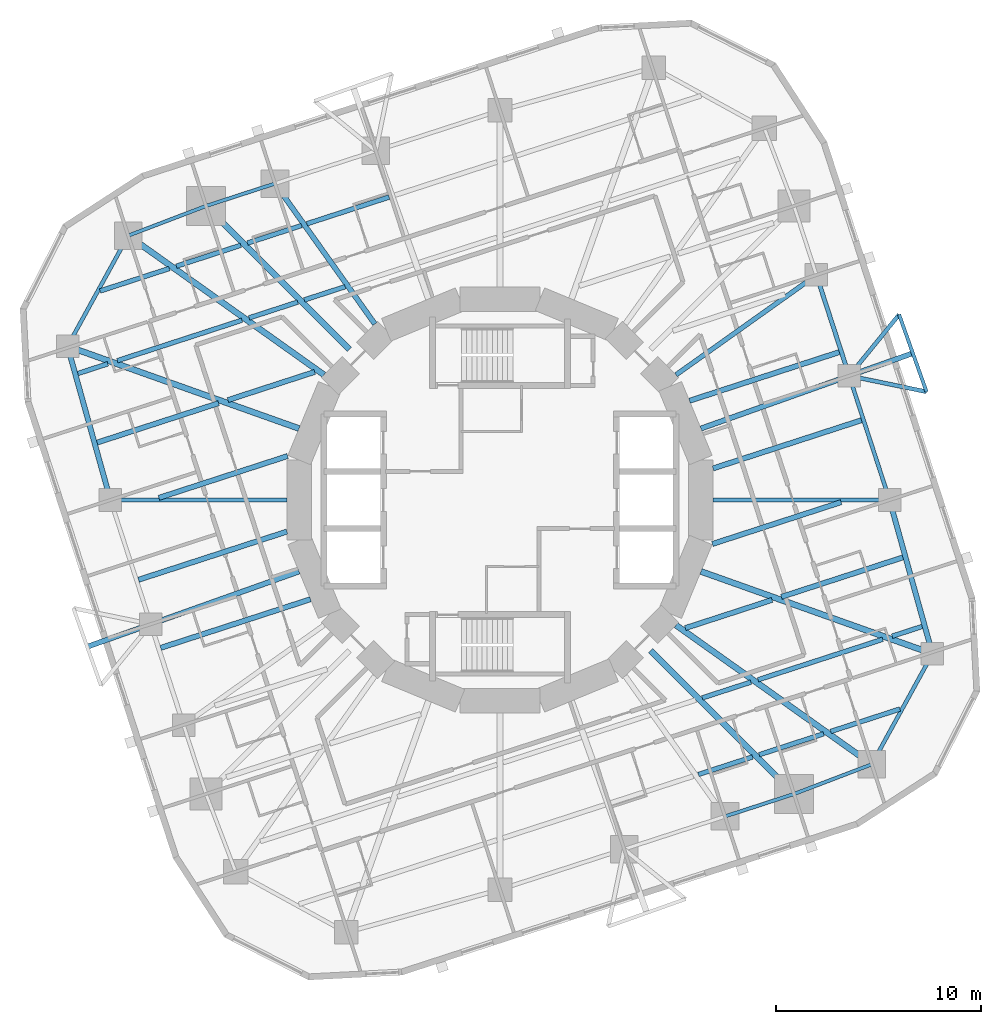
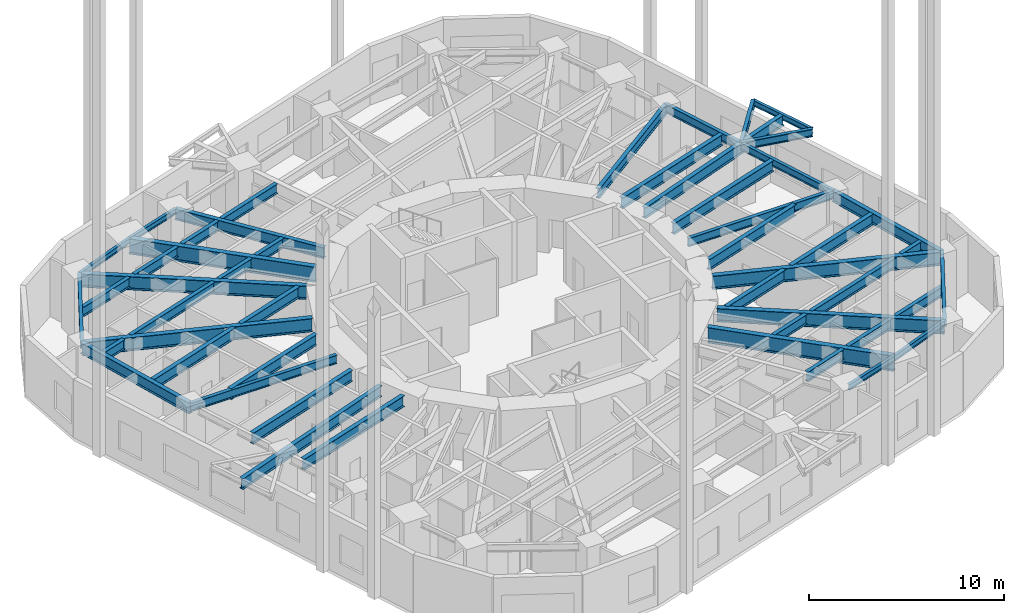
# One storey, part 2 of 10: 49 beams.
"""IFC4 building model written with IfcOpenShell, lengths in metres."""

from ifc_helpers import new_model, si_unit, direction, frame, origin, origin_2d, place, context, subcontext, project, spatial, i_section, extrude, material, material_profile, profile_set, type_object, element, save


model = new_model("IFC4")

# Units and contexts
model_context = context("Model", 3, precision=1e-05, world=origin(), true_north=direction((0.0, 1.0)))
body_context = subcontext(model_context, "Body", "Model", "MODEL_VIEW")
ifc_project = project(units=[si_unit("LENGTHUNIT", "METRE"), si_unit("AREAUNIT", "SQUARE_METRE"), si_unit("VOLUMEUNIT", "CUBIC_METRE"), si_unit("PLANEANGLEUNIT", "RADIAN"), si_unit("MASSUNIT", "GRAM", prefix="KILO")], contexts=[model_context])

# Site, building, storey
site_placement = place(None, origin())
site = spatial("IfcSite", under=ifc_project, at=site_placement, CompositionType="ELEMENT")
building_placement = place(site_placement, origin())
building = spatial("IfcBuilding", under=site, at=building_placement, Name="Nakasero Lantern House", CompositionType="ELEMENT")
storey_placement = place(building_placement, frame((0.0, 0.0, 141.800048828125)))
storey = spatial("IfcBuildingStorey", under=building, at=storey_placement, Name="L34", CompositionType="ELEMENT", Elevation=141.800048828125)

# Beams
ifc_material_1 = material(Name="Steel S355", Category="steel")
ifc_material_profile_1 = material_profile(ifc_material_1, i_section(OverallWidth=0.199462890625, OverallDepth=0.491943359375, WebThickness=0.01806640625, FlangeThickness=0.031982421875, FilletRadius=0.01025390625, at=origin_2d()), Name="UB 457x191x161")
ifc_profile_set_1 = profile_set([ifc_material_profile_1], Name="Steel S355")
beam_type_1 = type_object("IfcBeamType", Name="Balcony splay beam UB 457x191x161", PredefinedType="BEAM", material=ifc_profile_set_1)
for number, where, z_axis, x_axis, name in (
    (1, (17.060546875, 6.06591796875, 3.404052734375), (0.632127727159, 0.774864205236, 0.0), (-0.774864205236, 0.632127727159, 0.0), "Balcony splay beam L35 B4-C04A"),
    (2, (17.060546875, 6.06591796875, 3.404052734375), (0.979420272605, -0.201831438605, 0.0), (0.201831438605, 0.979420272605, 0.0), "Balcony splay beam L35 B4-C04B"),
):
    element("IfcBeam", number, at=place(storey_placement, frame(where, z_axis=z_axis, x_axis=x_axis)), inside=storey, type_object=beam_type_1, Name=name, PredefinedType="BEAM", context=body_context, shape_type="SweptSolid", body=[
        extrude(i_section(OverallWidth=0.199462890625, OverallDepth=0.491943359375, WebThickness=0.01806640625, FlangeThickness=0.031982421875, FilletRadius=0.01025390625, at=origin_2d()), origin(), (0.0, 0.0, 1.0), 3.858642578125),
    ])
ifc_material_2 = material(Name="Steel S355", Category="steel")
ifc_material_profile_2 = material_profile(ifc_material_2, i_section(OverallWidth=0.17138671875, OverallDepth=0.35498046875, WebThickness=0.00732421875, FlangeThickness=0.011474609375, FilletRadius=0.01025390625, at=origin_2d()), Name="UB 356x171x51")
ifc_profile_set_2 = profile_set([ifc_material_profile_2], Name="Steel S355")
beam_type_2 = type_object("IfcBeamType", Name="Balcony tie beam UB 356x171x51", PredefinedType="BEAM", material=ifc_profile_set_2)
beam_1_placement = place(storey_placement, frame((19.499755859375, 9.055908203125, 3.472412109375), z_axis=(0.335025321236, -0.942209124415, 0.0), x_axis=(0.942209124415, 0.335025321236, 0.0)))
element("IfcBeam", 3, at=beam_1_placement, inside=storey, type_object=beam_type_2, Name="Balcony tie beam L35 B4-C04", PredefinedType="BEAM", context=body_context, shape_type="SweptSolid", body=[
    extrude(i_section(OverallWidth=0.17138671875, OverallDepth=0.35498046875, WebThickness=0.00732421875, FlangeThickness=0.011474609375, FilletRadius=0.01025390625, at=origin_2d()), origin(), (0.0, 0.0, 1.0), 4.0),
])
ifc_material_3 = material(Name="Steel S355", Category="steel")
ifc_material_profile_3 = material_profile(ifc_material_3, i_section(OverallWidth=0.22900390625, OverallDepth=0.6123046875, WebThickness=0.011962890625, FlangeThickness=0.01953125, FilletRadius=0.0126953125, at=origin_2d()), Name="UB 610x229x125")
ifc_profile_set_3 = profile_set([ifc_material_profile_3], Name="Steel S355")
beam_type_3 = type_object("IfcBeamType", Name="Infill beam UB 610x229x125", PredefinedType="JOIST", material=ifc_profile_set_3)
beam_2_placement = place(storey_placement, frame((9.692626953125, -13.4111328125, 3.34375), z_axis=(0.951059855583, 0.309006716915, 0.0), x_axis=(-0.309006716915, 0.951059855583, 0.0)))
element("IfcBeam", 4, at=beam_2_placement, inside=storey, type_object=beam_type_3, Name="Infill beam L35 03.5", PredefinedType="JOIST", context=body_context, shape_type="SweptSolid", body=[
    extrude(i_section(OverallWidth=0.22900390625, OverallDepth=0.6123046875, WebThickness=0.011962890625, FlangeThickness=0.01953125, FilletRadius=0.0126953125, at=origin_2d()), origin(), (0.0, 0.0, 1.0), 2.78271484375),
])
beam_3_placement = place(storey_placement, frame((12.659423828125, -12.447265625, 3.34375), z_axis=(0.951057343237, 0.309014449297, 0.0), x_axis=(-0.309014449297, 0.951057343237, 0.0)))
element("IfcBeam", 5, at=beam_3_placement, inside=storey, type_object=beam_type_3, Name="Infill beam L35 03.6", PredefinedType="JOIST", context=body_context, shape_type="SweptSolid", body=[
    extrude(i_section(OverallWidth=0.22900390625, OverallDepth=0.6123046875, WebThickness=0.011962890625, FlangeThickness=0.01953125, FilletRadius=0.0126953125, at=origin_2d()), origin(), (0.0, 0.0, 1.0), 3.314208984375),
])
beam_4_placement = place(storey_placement, frame((16.15771484375, -11.310546875, 3.34375), z_axis=(0.951052231022, 0.309030182777, 0.0), x_axis=(-0.309030182777, 0.951052231022, 0.0)))
element("IfcBeam", 6, at=beam_4_placement, inside=storey, type_object=beam_type_3, Name="Infill beam L35 03.7", PredefinedType="JOIST", context=body_context, shape_type="SweptSolid", body=[
    extrude(i_section(OverallWidth=0.22900390625, OverallDepth=0.6123046875, WebThickness=0.011962890625, FlangeThickness=0.01953125, FilletRadius=0.0126953125, at=origin_2d()), origin(), (0.0, 0.0, 1.0), 3.555908203125),
])
beam_5_placement = place(storey_placement, frame((9.8818359375, -9.669677734375, 3.34375), z_axis=(0.95105846813, 0.30901098718, 0.0), x_axis=(-0.30901098718, 0.95105846813, 0.0)))
element("IfcBeam", 7, at=beam_5_placement, inside=storey, type_object=beam_type_3, Name="Infill beam L35 04.6", PredefinedType="JOIST", context=body_context, shape_type="SweptSolid", body=[
    extrude(i_section(OverallWidth=0.22900390625, OverallDepth=0.6123046875, WebThickness=0.011962890625, FlangeThickness=0.01953125, FilletRadius=0.0126953125, at=origin_2d()), origin(), (0.0, 0.0, 1.0), 2.499755859375),
])
beam_6_placement = place(storey_placement, frame((12.605712890625, -8.78466796875, 3.34375), z_axis=(0.951048625867, 0.309041277561, 0.0), x_axis=(-0.309041277561, 0.951048625867, 0.0)))
element("IfcBeam", 8, at=beam_6_placement, inside=storey, type_object=beam_type_3, Name="Infill beam L35 04.7", PredefinedType="JOIST", context=body_context, shape_type="SweptSolid", body=[
    extrude(i_section(OverallWidth=0.22900390625, OverallDepth=0.6123046875, WebThickness=0.011962890625, FlangeThickness=0.01953125, FilletRadius=0.0126953125, at=origin_2d()), origin(), (0.0, 0.0, 1.0), 6.408447265625),
])
for number, where, z_axis, x_axis, name in (
    (9, (19.156494140625, -6.656005859375, 3.34375), (0.951091008976, 0.308910816652, 0.0), (-0.308910816652, 0.951091008976, 0.0), "Infill beam L35 04.8"),
    (10, (-20.62451171875, 6.17919921875, 3.34375), (0.951091008976, 0.308910816652, 0.0), (-0.308910816652, 0.951091008976, 0.0), "Infill beam L35 11.1"),
):
    element("IfcBeam", number, at=place(storey_placement, frame(where, z_axis=z_axis, x_axis=x_axis)), inside=storey, type_object=beam_type_3, Name=name, PredefinedType="JOIST", context=body_context, shape_type="SweptSolid", body=[
        extrude(i_section(OverallWidth=0.22900390625, OverallDepth=0.6123046875, WebThickness=0.011962890625, FlangeThickness=0.01953125, FilletRadius=0.0126953125, at=origin_2d()), origin(), (0.0, 0.0, 1.0), 1.54345703125),
    ])
beam_7_placement = place(storey_placement, frame((-18.700439453125, 6.80419921875, 3.34375), z_axis=(0.951048625867, 0.309041277561, 0.0), x_axis=(-0.309041277561, 0.951048625867, 0.0)))
element("IfcBeam", 11, at=beam_7_placement, inside=storey, type_object=beam_type_3, Name="Infill beam L35 11.2", PredefinedType="JOIST", context=body_context, shape_type="SweptSolid", body=[
    extrude(i_section(OverallWidth=0.22900390625, OverallDepth=0.6123046875, WebThickness=0.011962890625, FlangeThickness=0.01953125, FilletRadius=0.0126953125, at=origin_2d()), origin(), (0.0, 0.0, 1.0), 6.408447265625),
])
beam_8_placement = place(storey_placement, frame((-12.25927734375, 8.897216796875, 3.34375), z_axis=(0.95105846813, 0.30901098718, 0.0), x_axis=(-0.30901098718, 0.95105846813, 0.0)))
element("IfcBeam", 12, at=beam_8_placement, inside=storey, type_object=beam_type_3, Name="Infill beam L35 11.3", PredefinedType="JOIST", context=body_context, shape_type="SweptSolid", body=[
    extrude(i_section(OverallWidth=0.22900390625, OverallDepth=0.6123046875, WebThickness=0.011962890625, FlangeThickness=0.01953125, FilletRadius=0.0126953125, at=origin_2d()), origin(), (0.0, 0.0, 1.0), 2.499755859375),
])
beam_9_placement = place(storey_placement, frame((-9.5615234375, 9.773681640625, 3.34375), z_axis=(0.951053739923, 0.30902553904, 0.0), x_axis=(-0.30902553904, 0.951053739923, 0.0)))
element("IfcBeam", 13, at=beam_9_placement, inside=storey, type_object=beam_type_3, Name="Infill beam L35 11.4", PredefinedType="JOIST", context=body_context, shape_type="SweptSolid", body=[
    extrude(i_section(OverallWidth=0.22900390625, OverallDepth=0.6123046875, WebThickness=0.011962890625, FlangeThickness=0.01953125, FilletRadius=0.0126953125, at=origin_2d()), origin(), (0.0, 0.0, 1.0), 2.09765625),
])
beam_10_placement = place(storey_placement, frame((-19.53955078125, 10.211669921875, 3.34375), z_axis=(0.951052231022, 0.309030182777, 0.0), x_axis=(-0.309030182777, 0.951052231022, 0.0)))
element("IfcBeam", 14, at=beam_10_placement, inside=storey, type_object=beam_type_3, Name="Infill beam L35 12.1", PredefinedType="JOIST", context=body_context, shape_type="SweptSolid", body=[
    extrude(i_section(OverallWidth=0.22900390625, OverallDepth=0.6123046875, WebThickness=0.011962890625, FlangeThickness=0.01953125, FilletRadius=0.0126953125, at=origin_2d()), origin(), (0.0, 0.0, 1.0), 3.555908203125),
])
beam_11_placement = place(storey_placement, frame((-15.8115234375, 11.423095703125, 3.34375), z_axis=(0.951057343237, 0.309014449297, 0.0), x_axis=(-0.309014449297, 0.951057343237, 0.0)))
element("IfcBeam", 15, at=beam_11_placement, inside=storey, type_object=beam_type_3, Name="Infill beam L35 12.2", PredefinedType="JOIST", context=body_context, shape_type="SweptSolid", body=[
    extrude(i_section(OverallWidth=0.22900390625, OverallDepth=0.6123046875, WebThickness=0.011962890625, FlangeThickness=0.01953125, FilletRadius=0.0126953125, at=origin_2d()), origin(), (0.0, 0.0, 1.0), 3.314208984375),
])
beam_12_placement = place(storey_placement, frame((-12.339111328125, 12.55126953125, 3.34375), z_axis=(0.951059855583, 0.309006716915, 0.0), x_axis=(-0.309006716915, 0.951059855583, 0.0)))
element("IfcBeam", 16, at=beam_12_placement, inside=storey, type_object=beam_type_3, Name="Infill beam L35 12.3", PredefinedType="JOIST", context=body_context, shape_type="SweptSolid", body=[
    extrude(i_section(OverallWidth=0.22900390625, OverallDepth=0.6123046875, WebThickness=0.011962890625, FlangeThickness=0.01953125, FilletRadius=0.0126953125, at=origin_2d()), origin(), (0.0, 0.0, 1.0), 2.78271484375),
])
beam_13_placement = place(storey_placement, frame((-9.439697265625, 13.493408203125, 3.34375), z_axis=(0.951057398427, 0.30901427944, 0.0), x_axis=(-0.30901427944, 0.951057398427, 0.0)))
element("IfcBeam", 17, at=beam_13_placement, inside=storey, type_object=beam_type_3, Name="Infill beam L35 12.4", PredefinedType="JOIST", context=body_context, shape_type="SweptSolid", body=[
    extrude(i_section(OverallWidth=0.22900390625, OverallDepth=0.6123046875, WebThickness=0.011962890625, FlangeThickness=0.01953125, FilletRadius=0.0126953125, at=origin_2d()), origin(), (0.0, 0.0, 1.0), 4.229248046875),
])
ifc_material_4 = material(Name="Steel S355", Category="steel")
ifc_material_profile_4 = material_profile(ifc_material_4, i_section(OverallWidth=0.253662109375, OverallDepth=0.68359375, WebThickness=0.012451171875, FlangeThickness=0.01904296875, FilletRadius=0.01513671875, at=origin_2d()), Name="UB 686x254x140")
ifc_profile_set_4 = profile_set([ifc_material_profile_4], Name="Steel S355")
beam_type_4 = type_object("IfcBeamType", Name="Infill beam UB 686x254x140", PredefinedType="JOIST", material=ifc_profile_set_4)
beam_14_placement = place(storey_placement, frame((9.053466796875, -6.258544921875, 3.30810546875), z_axis=(0.951065863794, 0.308988224251, 0.0), x_axis=(-0.308988224251, 0.951065863794, 0.0)))
element("IfcBeam", 18, at=beam_14_placement, inside=storey, type_object=beam_type_4, Name="Infill beam L35 05.3", PredefinedType="JOIST", context=body_context, shape_type="SweptSolid", body=[
    extrude(i_section(OverallWidth=0.253662109375, OverallDepth=0.68359375, WebThickness=0.012451171875, FlangeThickness=0.01904296875, FilletRadius=0.01513671875, at=origin_2d()), origin(), (0.0, 0.0, 1.0), 4.45703125),
])
beam_15_placement = place(storey_placement, frame((13.74853515625, -4.733154296875, 3.30810546875), z_axis=(0.951054771624, 0.309022363871, 0.0), x_axis=(-0.309022363871, 0.951054771624, 0.0)))
element("IfcBeam", 19, at=beam_15_placement, inside=storey, type_object=beam_type_4, Name="Infill beam L35 05.4", PredefinedType="JOIST", context=body_context, shape_type="SweptSolid", body=[
    extrude(i_section(OverallWidth=0.253662109375, OverallDepth=0.68359375, WebThickness=0.012451171875, FlangeThickness=0.01904296875, FilletRadius=0.01513671875, at=origin_2d()), origin(), (0.0, 0.0, 1.0), 6.239013671875),
])
for number, where, z_axis, x_axis, name in (
    (20, (10.375244140625, -2.149169921875, 3.30810546875), (0.951051425994, 0.309032660271, 0.0), (-0.309032660271, 0.951051425994, 0.0), "Infill beam L35 06.2"),
    (21, (-16.666259765625, 0.10498046875, 3.30810546875), (0.951051425994, 0.309032660271, 0.0), (-0.309032660271, 0.951051425994, 0.0), "Infill beam L35 09.1"),
):
    element("IfcBeam", number, at=place(storey_placement, frame(where, z_axis=z_axis, x_axis=x_axis)), inside=storey, type_object=beam_type_4, Name=name, PredefinedType="JOIST", context=body_context, shape_type="SweptSolid", body=[
        extrude(i_section(OverallWidth=0.253662109375, OverallDepth=0.68359375, WebThickness=0.012451171875, FlangeThickness=0.01904296875, FilletRadius=0.01513671875, at=origin_2d()), origin(), (0.0, 0.0, 1.0), 6.61474609375),
    ])
beam_16_placement = place(storey_placement, frame((-19.68212890625, 2.80517578125, 3.30810546875), z_axis=(0.951054771624, 0.309022363871, 0.0), x_axis=(-0.309022363871, 0.951054771624, 0.0)))
element("IfcBeam", 22, at=beam_16_placement, inside=storey, type_object=beam_type_4, Name="Infill beam L35 10.1", PredefinedType="JOIST", context=body_context, shape_type="SweptSolid", body=[
    extrude(i_section(OverallWidth=0.253662109375, OverallDepth=0.68359375, WebThickness=0.012451171875, FlangeThickness=0.01904296875, FilletRadius=0.01513671875, at=origin_2d()), origin(), (0.0, 0.0, 1.0), 6.239013671875),
])
beam_17_placement = place(storey_placement, frame((-13.29248046875, 4.88134765625, 3.30810546875), z_axis=(0.951065863794, 0.308988224251, 0.0), x_axis=(-0.308988224251, 0.951065863794, 0.0)))
element("IfcBeam", 23, at=beam_17_placement, inside=storey, type_object=beam_type_4, Name="Infill beam L35 10.2", PredefinedType="JOIST", context=body_context, shape_type="SweptSolid", body=[
    extrude(i_section(OverallWidth=0.253662109375, OverallDepth=0.68359375, WebThickness=0.012451171875, FlangeThickness=0.01904296875, FilletRadius=0.01513671875, at=origin_2d()), origin(), (0.0, 0.0, 1.0), 4.45703125),
])
ifc_material_5 = material(Name="Steel S355", Category="steel")
ifc_material_profile_5 = material_profile(ifc_material_5, i_section(OverallWidth=0.255859375, OverallDepth=0.69287109375, WebThickness=0.014404296875, FlangeThickness=0.023681640625, FilletRadius=0.01513671875, at=origin_2d()), Name="UB 686x254x170")
ifc_profile_set_5 = profile_set([ifc_material_profile_5], Name="Steel S355")
beam_type_5 = type_object("IfcBeamType", Name="Infill beam UB 686x254x170", PredefinedType="JOIST", material=ifc_profile_set_5)
beam_18_placement = place(storey_placement, frame((-16.573486328125, -7.22509765625, 3.303466796875), z_axis=(0.951055290106, 0.309020768171, 0.0), x_axis=(-0.309020768171, 0.951055290106, 0.0)))
element("IfcBeam", 24, at=beam_18_placement, inside=storey, type_object=beam_type_5, Name="Infill beam L35 07.1", PredefinedType="JOIST", context=body_context, shape_type="SweptSolid", body=[
    extrude(i_section(OverallWidth=0.255859375, OverallDepth=0.69287109375, WebThickness=0.014404296875, FlangeThickness=0.023681640625, FilletRadius=0.01513671875, at=origin_2d()), origin(), (0.0, 0.0, 1.0), 7.692626953125),
])
for number, where, z_axis, x_axis, name in (
    (25, (10.407958984375, 1.541748046875, 3.303466796875), (0.95106204683, 0.308999972622, 0.0), (-0.308999972622, 0.95106204683, 0.0), "Infill beam L35 07.2"),
    (26, (-17.66455078125, -3.8994140625, 3.303466796875), (0.95106204683, 0.308999972622, 0.0), (-0.308999972622, 0.95106204683, 0.0), "Infill beam L35 08.1"),
):
    element("IfcBeam", number, at=place(storey_placement, frame(where, z_axis=z_axis, x_axis=x_axis)), inside=storey, type_object=beam_type_5, Name=name, PredefinedType="JOIST", context=body_context, shape_type="SweptSolid", body=[
        extrude(i_section(OverallWidth=0.255859375, OverallDepth=0.69287109375, WebThickness=0.014404296875, FlangeThickness=0.023681640625, FilletRadius=0.01513671875, at=origin_2d()), origin(), (0.0, 0.0, 1.0), 7.6298828125),
    ])
beam_19_placement = place(storey_placement, frame((9.25732421875, 4.847900390625, 3.303466796875), z_axis=(0.951055290106, 0.309020768171, 0.0), x_axis=(-0.309020768171, 0.951055290106, 0.0)))
element("IfcBeam", 27, at=beam_19_placement, inside=storey, type_object=beam_type_5, Name="Infill beam L35 08.2", PredefinedType="JOIST", context=body_context, shape_type="SweptSolid", body=[
    extrude(i_section(OverallWidth=0.255859375, OverallDepth=0.69287109375, WebThickness=0.014404296875, FlangeThickness=0.023681640625, FilletRadius=0.01513671875, at=origin_2d()), origin(), (0.0, 0.0, 1.0), 7.692626953125),
])
ifc_material_6 = material(Name="Steel S355", Category="steel")
ifc_material_profile_6 = material_profile(ifc_material_6, i_section(OverallWidth=0.300048828125, OverallDepth=0.97021484375, WebThickness=0.01611328125, FlangeThickness=0.02099609375, FilletRadius=0.030029296875, at=origin_2d()), Name="UB 1016x305x222")
ifc_profile_set_6 = profile_set([ifc_material_profile_6], Name="Steel S355")
beam_type_6 = type_object("IfcBeamType", Name="Primary beam UB 1016x305x222, span 9 to 12 m", PredefinedType="BEAM", material=ifc_profile_set_6)
for number, where, z_axis, x_axis, name in (
    (28, (-14.3642578125, 14.3642578125, 3.164794921875), (0.707106781187, -0.707106781187, 0.0), (0.707106781187, 0.707106781187, 0.0), "Primary beam L35 B4-C12"),
    (29, (14.3642578125, -14.3642578125, 3.164794921875), (-0.707106781187, 0.707106781187, 0.0), (-0.707106781187, -0.707106781187, 0.0), "Primary beam L35 B4-C24"),
):
    element("IfcBeam", number, at=place(storey_placement, frame(where, z_axis=z_axis, x_axis=x_axis)), inside=storey, type_object=beam_type_6, Name=name, PredefinedType="BEAM", context=body_context, shape_type="SweptSolid", body=[
        extrude(i_section(OverallWidth=0.300048828125, OverallDepth=0.97021484375, WebThickness=0.01611328125, FlangeThickness=0.02099609375, FilletRadius=0.030029296875, at=origin_2d()), origin(), (0.0, 0.0, 1.0), 9.906494140625),
    ])
ifc_material_7 = material(Name="Steel S355", Category="steel")
ifc_material_profile_7 = material_profile(ifc_material_7, i_section(OverallWidth=0.2099609375, OverallDepth=0.53662109375, WebThickness=0.0107421875, FlangeThickness=0.017333984375, FilletRadius=0.0126953125, at=origin_2d()), Name="UB 533x210x101")
ifc_profile_set_7 = profile_set([ifc_material_profile_7], Name="Steel S355")
beam_type_7 = type_object("IfcBeamType", Name="Primary beam UB 533x210x101, span 6 to 9 m", PredefinedType="BEAM", material=ifc_profile_set_7)
for number, where, z_axis, x_axis, name in (
    (30, (19.031494140625, 0.0, 3.381591796875), (-1.0, 0.0, 0.0), (0.0, -1.0, 0.0), "Primary beam L35 B4-C03"),
    (31, (-19.031494140625, 0.0, 3.381591796875), (1.0, 0.0, 0.0), (0.0, 1.0, 0.0), "Primary beam L35 B4-C15"),
):
    element("IfcBeam", number, at=place(storey_placement, frame(where, z_axis=z_axis, x_axis=x_axis)), inside=storey, type_object=beam_type_7, Name=name, PredefinedType="BEAM", context=body_context, shape_type="SweptSolid", body=[
        extrude(i_section(OverallWidth=0.2099609375, OverallDepth=0.53662109375, WebThickness=0.0107421875, FlangeThickness=0.017333984375, FilletRadius=0.0126953125, at=origin_2d()), origin(), (0.0, 0.0, 1.0), 8.62353515625),
    ])
ifc_material_8 = material(Name="Steel S355", Category="steel")
ifc_material_profile_8 = material_profile(ifc_material_8, i_section(OverallWidth=0.22900390625, OverallDepth=0.6123046875, WebThickness=0.011962890625, FlangeThickness=0.01953125, FilletRadius=0.0126953125, at=origin_2d()), Name="UB 610x229x125")
ifc_profile_set_8 = profile_set([ifc_material_profile_8], Name="Steel S355")
beam_type_8 = type_object("IfcBeamType", Name="Primary beam UB 610x229x125, span 6 to 9 m", PredefinedType="BEAM", material=ifc_profile_set_8)
beam_20_placement = place(storey_placement, frame((15.45947265625, 10.993408203125, 3.34375), z_axis=(-0.81495106139, -0.579529781409, 0.0), x_axis=(0.579529781409, -0.81495106139, 0.0)))
element("IfcBeam", 32, at=beam_20_placement, inside=storey, type_object=beam_type_8, Name="Primary beam L35 B4-C05", PredefinedType="BEAM", context=body_context, shape_type="SweptSolid", body=[
    extrude(i_section(OverallWidth=0.22900390625, OverallDepth=0.6123046875, WebThickness=0.011962890625, FlangeThickness=0.01953125, FilletRadius=0.0126953125, at=origin_2d()), origin(), (0.0, 0.0, 1.0), 8.41455078125),
])
ifc_material_9 = material(Name="Steel S355", Category="steel")
ifc_material_profile_9 = material_profile(ifc_material_9, i_section(OverallWidth=0.253662109375, OverallDepth=0.68359375, WebThickness=0.012451171875, FlangeThickness=0.01904296875, FilletRadius=0.01513671875, at=origin_2d()), Name="UB 686x254x140")
ifc_profile_set_9 = profile_set([ifc_material_profile_9], Name="Steel S355")
beam_type_9 = type_object("IfcBeamType", Name="Primary beam UB 686x254x140, span 6 to 9 m", PredefinedType="BEAM", material=ifc_profile_set_9)
beam_21_placement = place(storey_placement, frame((20.169921875, 7.17138671875, 3.30810546875), z_axis=(-0.942215625619, -0.335007036998, 0.0), x_axis=(0.335007036998, -0.942215625619, 0.0)))
element("IfcBeam", 33, at=beam_21_placement, inside=storey, type_object=beam_type_9, Name="Primary beam L35 B4-C04", PredefinedType="BEAM", context=body_context, shape_type="SweptSolid", body=[
    extrude(i_section(OverallWidth=0.253662109375, OverallDepth=0.68359375, WebThickness=0.012451171875, FlangeThickness=0.01904296875, FilletRadius=0.01513671875, at=origin_2d()), origin(), (0.0, 0.0, 1.0), 10.9853515625),
])
beam_22_placement = place(storey_placement, frame((-10.993408203125, 15.45947265625, 3.30810546875), z_axis=(0.579529781409, -0.81495106139, 0.0), x_axis=(0.81495106139, 0.579529781409, 0.0)))
element("IfcBeam", 34, at=beam_22_placement, inside=storey, type_object=beam_type_9, Name="Primary beam L35 B4-C11", PredefinedType="BEAM", context=body_context, shape_type="SweptSolid", body=[
    extrude(i_section(OverallWidth=0.253662109375, OverallDepth=0.68359375, WebThickness=0.012451171875, FlangeThickness=0.01904296875, FilletRadius=0.01513671875, at=origin_2d()), origin(), (0.0, 0.0, 1.0), 8.41455078125),
])
beam_23_placement = place(storey_placement, frame((-20.169921875, -7.17138671875, 3.30810546875), z_axis=(0.942215625619, 0.335007036998, 0.0), x_axis=(-0.335007036998, 0.942215625619, 0.0)))
element("IfcBeam", 35, at=beam_23_placement, inside=storey, type_object=beam_type_9, Name="Primary beam L35 B4-C16", PredefinedType="BEAM", context=body_context, shape_type="SweptSolid", body=[
    extrude(i_section(OverallWidth=0.253662109375, OverallDepth=0.68359375, WebThickness=0.012451171875, FlangeThickness=0.01904296875, FilletRadius=0.01513671875, at=origin_2d()), origin(), (0.0, 0.0, 1.0), 10.9853515625),
])
ifc_material_10 = material(Name="Steel S355", Category="steel")
ifc_material_profile_10 = material_profile(ifc_material_10, i_section(OverallWidth=0.29248046875, OverallDepth=0.8408203125, WebThickness=0.0146484375, FlangeThickness=0.02685546875, FilletRadius=0.017822265625, at=origin_2d()), Name="UB 838x292x194")
ifc_profile_set_10 = profile_set([ifc_material_profile_10], Name="Steel S355")
beam_type_10 = type_object("IfcBeamType", Name="Primary beam UB 838x292x194, span 12 to 15 m", PredefinedType="BEAM", material=ifc_profile_set_10)
for number, where, z_axis, x_axis, name in (
    (36, (21.129638671875, -7.5126953125, 3.2294921875), (-0.942213548974, 0.335012877559, 0.0), (-0.335012877559, -0.942213548974, 0.0), "Primary beam L35 B4-C02"),
    (37, (-21.129638671875, 7.5126953125, 3.2294921875), (0.942213548974, -0.335012877559, 0.0), (0.335012877559, 0.942213548974, 0.0), "Primary beam L35 B4-C14"),
):
    element("IfcBeam", number, at=place(storey_placement, frame(where, z_axis=z_axis, x_axis=x_axis)), inside=storey, type_object=beam_type_10, Name=name, PredefinedType="BEAM", context=body_context, shape_type="SweptSolid", body=[
        extrude(i_section(OverallWidth=0.29248046875, OverallDepth=0.8408203125, WebThickness=0.0146484375, FlangeThickness=0.02685546875, FilletRadius=0.017822265625, at=origin_2d()), origin(), (0.0, 0.0, 1.0), 12.00390625),
    ])
ifc_material_11 = material(Name="Steel S355", Category="steel")
ifc_material_profile_11 = material_profile(ifc_material_11, i_section(OverallWidth=0.29248046875, OverallDepth=0.8408203125, WebThickness=0.0146484375, FlangeThickness=0.02685546875, FilletRadius=0.017822265625, at=origin_2d()), Name="UB 838x292x194")
ifc_profile_set_11 = profile_set([ifc_material_profile_11], Name="Steel S355")
beam_type_11 = type_object("IfcBeamType", Name="Primary beam UB 838x292x194, span 9 to 12 m", PredefinedType="BEAM", material=ifc_profile_set_11)
for number, where, z_axis, x_axis, name in (
    (38, (18.1630859375, -12.916015625, 3.2294921875), (-0.814950738075, 0.579530236062, 0.0), (-0.579530236062, -0.814950738075, 0.0), "Primary beam L35 B4-C01"),
    (39, (-18.1630859375, 12.916015625, 3.2294921875), (0.814950738075, -0.579530236062, 0.0), (0.579530236062, 0.814950738075, 0.0), "Primary beam L35 B4-C13"),
):
    element("IfcBeam", number, at=place(storey_placement, frame(where, z_axis=z_axis, x_axis=x_axis)), inside=storey, type_object=beam_type_11, Name=name, PredefinedType="BEAM", context=body_context, shape_type="SweptSolid", body=[
        extrude(i_section(OverallWidth=0.29248046875, OverallDepth=0.8408203125, WebThickness=0.0146484375, FlangeThickness=0.02685546875, FilletRadius=0.017822265625, at=origin_2d()), origin(), (0.0, 0.0, 1.0), 11.73193359375),
    ])
ifc_material_12 = material(Name="Steel S355", Category="steel")
ifc_material_profile_12 = material_profile(ifc_material_12, i_section(OverallWidth=0.17138671875, OverallDepth=0.35498046875, WebThickness=0.00732421875, FlangeThickness=0.011474609375, FilletRadius=0.01025390625, at=origin_2d()), Name="UB 356x171x51")
ifc_profile_set_12 = profile_set([ifc_material_profile_12], Name="Steel S355")
beam_type_12 = type_object("IfcBeamType", Name="Ring beam UB 356x171x51", PredefinedType="BEAM", material=ifc_profile_set_12)
beam_24_placement = place(storey_placement, frame((-10.993408203125, 15.45947265625, 3.472412109375), z_axis=(-0.951059881727, -0.309006636447, 0.0), x_axis=(0.309006636447, -0.951059881727, 0.0)))
element("IfcBeam", 40, at=beam_24_placement, inside=storey, type_object=beam_type_12, Name="Ring beam L35 B4-C11", PredefinedType="BEAM", context=body_context, shape_type="SweptSolid", body=[
    extrude(i_section(OverallWidth=0.17138671875, OverallDepth=0.35498046875, WebThickness=0.00732421875, FlangeThickness=0.011474609375, FilletRadius=0.01025390625, at=origin_2d()), origin(), (0.0, 0.0, 1.0), 3.544189453125),
])
beam_25_placement = place(storey_placement, frame((-14.3642578125, 14.3642578125, 3.472412109375), z_axis=(-0.934400186194, -0.35622505813, 0.0), x_axis=(0.35622505813, -0.934400186194, 0.0)))
element("IfcBeam", 41, at=beam_25_placement, inside=storey, type_object=beam_type_12, Name="Ring beam L35 B4-C12", PredefinedType="BEAM", context=body_context, shape_type="SweptSolid", body=[
    extrude(i_section(OverallWidth=0.17138671875, OverallDepth=0.35498046875, WebThickness=0.00732421875, FlangeThickness=0.011474609375, FilletRadius=0.01025390625, at=origin_2d()), origin(), (0.0, 0.0, 1.0), 4.0654296875),
])
beam_26_placement = place(storey_placement, frame((10.993408203125, -15.45947265625, 3.472412109375), z_axis=(0.951059881727, 0.309006636447, 0.0), x_axis=(-0.309006636447, 0.951059881727, 0.0)))
element("IfcBeam", 42, at=beam_26_placement, inside=storey, type_object=beam_type_12, Name="Ring beam L35 B4-C23", PredefinedType="BEAM", context=body_context, shape_type="SweptSolid", body=[
    extrude(i_section(OverallWidth=0.17138671875, OverallDepth=0.35498046875, WebThickness=0.00732421875, FlangeThickness=0.011474609375, FilletRadius=0.01025390625, at=origin_2d()), origin(), (0.0, 0.0, 1.0), 3.544189453125),
])
beam_27_placement = place(storey_placement, frame((14.3642578125, -14.3642578125, 3.472412109375), z_axis=(0.934400186194, 0.35622505813, 0.0), x_axis=(-0.35622505813, 0.934400186194, 0.0)))
element("IfcBeam", 43, at=beam_27_placement, inside=storey, type_object=beam_type_12, Name="Ring beam L35 B4-C24", PredefinedType="BEAM", context=body_context, shape_type="SweptSolid", body=[
    extrude(i_section(OverallWidth=0.17138671875, OverallDepth=0.35498046875, WebThickness=0.00732421875, FlangeThickness=0.011474609375, FilletRadius=0.01025390625, at=origin_2d()), origin(), (0.0, 0.0, 1.0), 4.0654296875),
])
ifc_material_13 = material(Name="Steel S355", Category="steel")
ifc_material_profile_13 = material_profile(ifc_material_13, i_section(OverallWidth=0.18994140625, OverallDepth=0.453369140625, WebThickness=0.008544921875, FlangeThickness=0.0126953125, FilletRadius=0.01025390625, at=origin_2d()), Name="UB 457x191x67")
ifc_profile_set_13 = profile_set([ifc_material_profile_13], Name="Steel S355")
beam_type_13 = type_object("IfcBeamType", Name="Ring beam UB 457x191x67", PredefinedType="BEAM", material=ifc_profile_set_13)
beam_28_placement = place(storey_placement, frame((18.1630859375, -12.916015625, 3.42333984375), z_axis=(0.481261795861, 0.876576912681, 0.0), x_axis=(-0.876576912681, 0.481261795861, 0.0)))
element("IfcBeam", 44, at=beam_28_placement, inside=storey, type_object=beam_type_13, Name="Ring beam L35 B4-C01", PredefinedType="BEAM", context=body_context, shape_type="SweptSolid", body=[
    extrude(i_section(OverallWidth=0.18994140625, OverallDepth=0.453369140625, WebThickness=0.008544921875, FlangeThickness=0.0126953125, FilletRadius=0.01025390625, at=origin_2d()), origin(), (0.0, 0.0, 1.0), 6.1640625),
])
beam_29_placement = place(storey_placement, frame((19.031494140625, 0.0, 3.42333984375), z_axis=(-0.309018560274, 0.951056007502, 0.0), x_axis=(-0.951056007502, -0.309018560274, 0.0)))
element("IfcBeam", 45, at=beam_29_placement, inside=storey, type_object=beam_type_13, Name="Ring beam L35 B4-C03", PredefinedType="BEAM", context=body_context, shape_type="SweptSolid", body=[
    extrude(i_section(OverallWidth=0.18994140625, OverallDepth=0.453369140625, WebThickness=0.008544921875, FlangeThickness=0.0126953125, FilletRadius=0.01025390625, at=origin_2d()), origin(), (0.0, 0.0, 1.0), 6.378173828125),
])
beam_30_placement = place(storey_placement, frame((-18.1630859375, 12.916015625, 3.42333984375), z_axis=(-0.481261795861, -0.876576912681, 0.0), x_axis=(0.876576912681, -0.481261795861, 0.0)))
element("IfcBeam", 46, at=beam_30_placement, inside=storey, type_object=beam_type_13, Name="Ring beam L35 B4-C13", PredefinedType="BEAM", context=body_context, shape_type="SweptSolid", body=[
    extrude(i_section(OverallWidth=0.18994140625, OverallDepth=0.453369140625, WebThickness=0.008544921875, FlangeThickness=0.0126953125, FilletRadius=0.01025390625, at=origin_2d()), origin(), (0.0, 0.0, 1.0), 6.1640625),
])
ifc_material_14 = material(Name="Steel S355", Category="steel")
ifc_material_profile_14 = material_profile(ifc_material_14, i_section(OverallWidth=0.2099609375, OverallDepth=0.53662109375, WebThickness=0.0107421875, FlangeThickness=0.017333984375, FilletRadius=0.0126953125, at=origin_2d()), Name="UB 533x210x101")
ifc_profile_set_14 = profile_set([ifc_material_profile_14], Name="Steel S355")
beam_type_14 = type_object("IfcBeamType", Name="Ring beam UB 533x210x101", PredefinedType="BEAM", material=ifc_profile_set_14)
beam_31_placement = place(storey_placement, frame((17.060546875, 6.06591796875, 3.381591796875), z_axis=(-0.309023207396, 0.95105449754, 0.0), x_axis=(-0.95105449754, -0.309023207396, 0.0)))
element("IfcBeam", 47, at=beam_31_placement, inside=storey, type_object=beam_type_14, Name="Ring beam L35 B4-C04", PredefinedType="BEAM", context=body_context, shape_type="SweptSolid", body=[
    extrude(i_section(OverallWidth=0.2099609375, OverallDepth=0.53662109375, WebThickness=0.0107421875, FlangeThickness=0.017333984375, FilletRadius=0.0126953125, at=origin_2d()), origin(), (0.0, 0.0, 1.0), 5.18115234375),
])
ifc_material_15 = material(Name="Steel S355", Category="steel")
ifc_material_profile_15 = material_profile(ifc_material_15, i_section(OverallWidth=0.255859375, OverallDepth=0.69287109375, WebThickness=0.014404296875, FlangeThickness=0.023681640625, FilletRadius=0.01513671875, at=origin_2d()), Name="UB 686x254x170")
ifc_profile_set_15 = profile_set([ifc_material_profile_15], Name="Steel S355")
beam_type_15 = type_object("IfcBeamType", Name="Ring beam UB 686x254x170", PredefinedType="BEAM", material=ifc_profile_set_15)
for number, where, z_axis, x_axis, name in (
    (48, (21.129638671875, -7.5126953125, 3.303466796875), (-0.268986696047, 0.963143892339, 0.0), (-0.963143892339, -0.268986696047, 0.0), "Ring beam L35 B4-C02"),
    (49, (-21.129638671875, 7.5126953125, 3.303466796875), (0.268986696047, -0.963143892339, 0.0), (0.963143892339, 0.268986696047, 0.0), "Ring beam L35 B4-C14"),
):
    element("IfcBeam", number, at=place(storey_placement, frame(where, z_axis=z_axis, x_axis=x_axis)), inside=storey, type_object=beam_type_15, Name=name, PredefinedType="BEAM", context=body_context, shape_type="SweptSolid", body=[
        extrude(i_section(OverallWidth=0.255859375, OverallDepth=0.69287109375, WebThickness=0.014404296875, FlangeThickness=0.023681640625, FilletRadius=0.01513671875, at=origin_2d()), origin(), (0.0, 0.0, 1.0), 7.80029296875),
    ])

save(model, "model.ifc")
